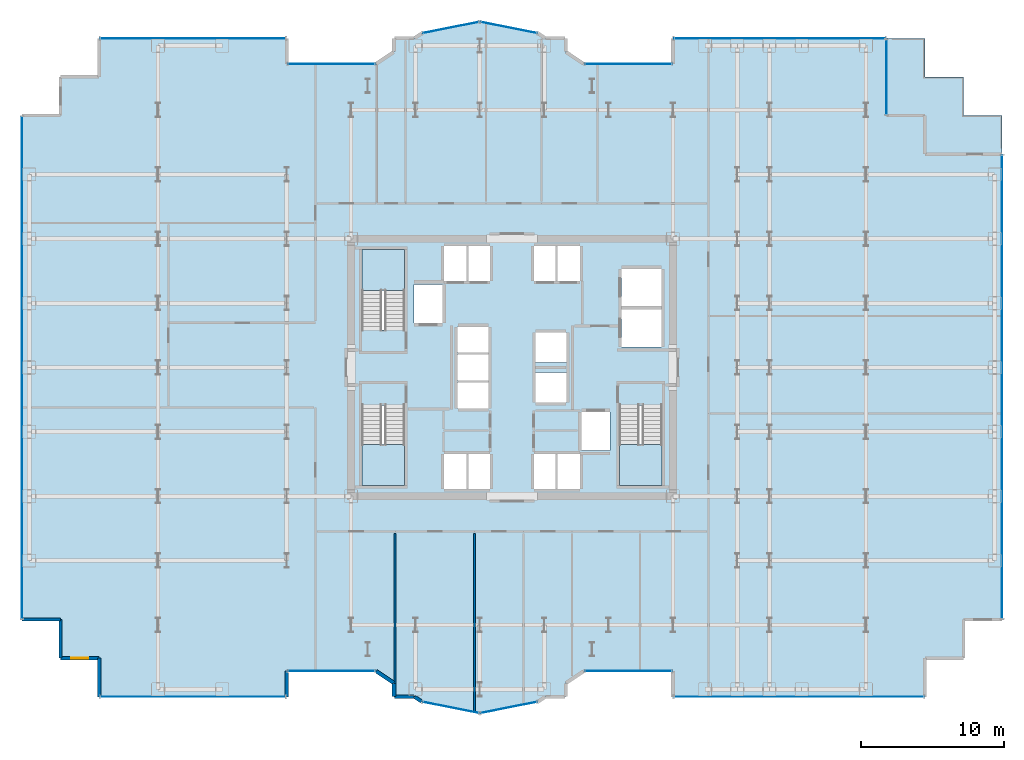
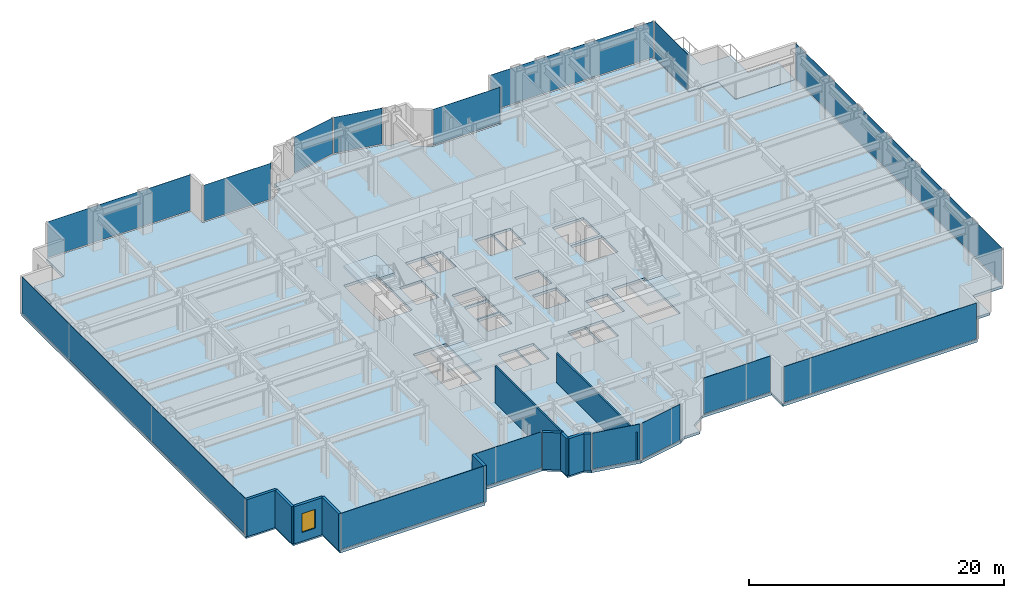
# One storey, part 19 of 26: 15 plates, 11 walls, 5 slabs, 1 window, 1 opening, 18 elements without a shape of their own.
"""IFC4 building model written with IfcOpenShell, lengths in metres."""

from ifc_helpers import new_model, si_unit, direction, frame, frame_2d, origin, origin_2d, place, context, subcontext, project, spatial, polyline, rectangle, outline, extrude, source, transform, mapped, material, layer, layer_set, type_object, element, fill, aggregate, save


model = new_model("IFC4")

# Units and contexts
model_context = context("Model", 3, precision=1e-05, world=origin(), true_north=direction((0.0, 1.0)))
body_context = subcontext(model_context, "Body", "Model", "MODEL_VIEW")
ifc_project = project(units=[si_unit("LENGTHUNIT", "METRE"), si_unit("AREAUNIT", "SQUARE_METRE"), si_unit("VOLUMEUNIT", "CUBIC_METRE"), si_unit("PLANEANGLEUNIT", "RADIAN"), si_unit("MASSUNIT", "GRAM", prefix="KILO")], contexts=[model_context])

# Site, building, storey
site_placement = place(None, origin())
site = spatial("IfcSite", under=ifc_project, at=site_placement, CompositionType="ELEMENT")
building_placement = place(site_placement, origin())
building = spatial("IfcBuilding", under=site, at=building_placement, Name="Nefas-Gora Pilgrimage Tower", CompositionType="ELEMENT")
storey_placement = place(building_placement, frame((0.0, 0.0, 106.0)))
storey = spatial("IfcBuildingStorey", under=building, at=storey_placement, Name="L25", CompositionType="ELEMENT", Elevation=106.0)

# Slabs
ifc_material_1 = material(Name="Concrete C40/50", Category="concrete")
ifc_layer_1 = layer(ifc_material_1, 0.239990234375)
ifc_layer_set_1 = layer_set([ifc_layer_1], Name="Concrete C40/50")
slab_type_1 = type_object("IfcSlabType", Name="SLB-TER-SP-NE", PredefinedType="FLOOR", material=ifc_layer_set_1)
slab_1_placement = place(storey_placement, frame((0.0, 0.0, -0.239990234375)))
element("IfcSlab", 1, at=slab_1_placement, inside=storey, type_object=slab_type_1, Name="L25 Outdoor Sky Terrace Slab TER-SP-NE", PredefinedType="FLOOR", context=body_context, shape_type="SweptSolid", body=[
    extrude(outline(polyline([(26.169921875, 23.02001953125), (26.169921875, 17.6201171875), (28.8701171875, 17.6201171875), (28.8701171875, 14.919921875), (34.27001953125, 14.919921875), (34.27001953125, 17.6201171875), (31.570068359375, 17.6201171875), (31.570068359375, 20.320068359375), (28.8701171875, 20.320068359375), (28.8701171875, 23.02001953125), (26.169921875, 23.02001953125)])), origin(), (0.0, 0.0, 1.0), 0.239990234375),
])
ifc_layer_2 = layer(ifc_material_1, 0.25)
ifc_layer_set_2 = layer_set([ifc_layer_2], Name="Concrete C40/50")
slab_type_2 = type_object("IfcSlabType", Name="SLB-TWR-250", PredefinedType="FLOOR", material=ifc_layer_set_2)
slab_2_placement = place(storey_placement, frame((0.0, 0.0, -0.25)))
element("IfcSlab", 2, at=slab_2_placement, inside=storey, type_object=slab_type_2, Name="L25 Structural Floor Slab", PredefinedType="FLOOR", context=body_context, shape_type="SweptSolid", body=[
    extrude(outline(polyline([(5.01806640625, -21.219970703125), (11.25, -21.219970703125), (11.25, -23.02001953125), (28.8701171875, -23.02001953125), (28.8701171875, -20.320068359375), (31.570068359375, -20.320068359375), (31.570068359375, -17.6201171875), (34.27001953125, -17.6201171875), (34.27001953125, 14.919921875), (28.8701171875, 14.919921875), (28.8701171875, 17.6201171875), (26.169921875, 17.6201171875), (26.169921875, 23.02001953125), (11.25, 23.02001953125), (11.25, 21.219970703125), (5.01806640625, 21.219970703125), (3.75, 22.0673828125), (3.75, 23.02001953125), (2.32421875, 23.02001953125), (1.807373046875, 23.365234375), (-2.25, 24.17236328125), (-6.307373046875, 23.365234375), (-6.82421875, 23.02001953125), (-8.25, 23.02001953125), (-8.25, 22.0673828125), (-9.51806640625, 21.219970703125), (-15.75, 21.219970703125), (-15.75, 23.02001953125), (-28.8701171875, 23.02001953125), (-28.8701171875, 20.320068359375), (-31.570068359375, 20.320068359375), (-31.570068359375, 17.6201171875), (-34.27001953125, 17.6201171875), (-34.27001953125, -17.6201171875), (-31.570068359375, -17.6201171875), (-31.570068359375, -20.320068359375), (-28.8701171875, -20.320068359375), (-28.8701171875, -23.02001953125), (-15.75, -23.02001953125), (-15.75, -21.219970703125), (-9.51806640625, -21.219970703125), (-8.25, -22.0673828125), (-8.25, -23.02001953125), (-6.82421875, -23.02001953125), (-6.307373046875, -23.365234375), (-2.25, -24.17236328125), (1.807373046875, -23.365234375), (2.32421875, -23.02001953125), (3.75, -23.02001953125), (3.75, -22.0673828125), (5.01806640625, -21.219970703125)]), holes=[polyline([(-10.5, 2.639892578125), (-10.5, 8.25), (-7.5, 8.25), (-7.5, 2.639892578125), (-10.5, 2.639892578125)]), polyline([(10.5, -2.639892578125), (10.5, -8.25), (7.5, -8.25), (7.5, -2.639892578125), (10.5, -2.639892578125)]), polyline([(-7.5, -2.639892578125), (-7.5, -8.25), (-10.5, -8.25), (-10.5, -2.639892578125), (-7.5, -2.639892578125)]), polyline([(-6.85009765625, 5.800048828125), (-4.85009765625, 5.800048828125), (-4.85009765625, 3.10009765625), (-6.85009765625, 3.10009765625), (-6.85009765625, 5.800048828125)]), polyline([(4.85009765625, -3.10009765625), (6.85009765625, -3.10009765625), (6.85009765625, -5.800048828125), (4.85009765625, -5.800048828125), (4.85009765625, -3.10009765625)]), polyline([(7.64990234375, 4.050048828125), (10.449951171875, 4.050048828125), (10.449951171875, 1.449951171875), (7.64990234375, 1.449951171875), (7.64990234375, 4.050048828125)]), polyline([(7.64990234375, 6.89990234375), (10.449951171875, 6.89990234375), (10.449951171875, 4.300048828125), (7.64990234375, 4.300048828125), (7.64990234375, 6.89990234375)]), polyline([(-4.75, 8.5), (-3.14990234375, 8.5), (-3.14990234375, 6.050048828125), (-4.75, 6.050048828125), (-4.75, 8.5)]), polyline([(-3.10009765625, 8.5), (-1.550048828125, 8.5), (-1.550048828125, 6.050048828125), (-3.10009765625, 6.050048828125), (-3.10009765625, 8.5)]), polyline([(1.550048828125, 8.5), (3.10009765625, 8.5), (3.10009765625, 6.050048828125), (1.550048828125, 6.050048828125), (1.550048828125, 8.5)]), polyline([(3.14990234375, 8.5), (4.75, 8.5), (4.75, 6.050048828125), (3.14990234375, 6.050048828125), (3.14990234375, 8.5)]), polyline([(-4.75, -6.050048828125), (-3.14990234375, -6.050048828125), (-3.14990234375, -8.5), (-4.75, -8.5), (-4.75, -6.050048828125)]), polyline([(-3.10009765625, -6.050048828125), (-1.550048828125, -6.050048828125), (-1.550048828125, -8.5), (-3.10009765625, -8.5), (-3.10009765625, -6.050048828125)]), polyline([(1.550048828125, -6.050048828125), (3.10009765625, -6.050048828125), (3.10009765625, -8.5), (1.550048828125, -8.5), (1.550048828125, -6.050048828125)]), polyline([(3.14990234375, -6.050048828125), (4.75, -6.050048828125), (4.75, -8.5), (3.14990234375, -8.5), (3.14990234375, -6.050048828125)]), polyline([(-3.800048828125, -1.050048828125), (-1.64990234375, -1.050048828125), (-1.64990234375, -2.85009765625), (-3.800048828125, -2.85009765625), (-3.800048828125, -1.050048828125)]), polyline([(-3.800048828125, 0.89990234375), (-1.64990234375, 0.89990234375), (-1.64990234375, -0.89990234375), (-3.800048828125, -0.89990234375), (-3.800048828125, 0.89990234375)]), polyline([(-3.800048828125, 2.85009765625), (-1.64990234375, 2.85009765625), (-1.64990234375, 1.050048828125), (-3.800048828125, 1.050048828125), (-3.800048828125, 2.85009765625)]), polyline([(1.64990234375, -0.35009765625), (3.800048828125, -0.35009765625), (3.800048828125, -2.449951171875), (1.64990234375, -2.449951171875), (1.64990234375, -0.35009765625)]), polyline([(1.64990234375, 2.449951171875), (3.800048828125, 2.449951171875), (3.800048828125, 0.35009765625), (1.64990234375, 0.35009765625), (1.64990234375, 2.449951171875)])]), origin(), (0.0, 0.0, 1.0), 0.25),
])

# Stair, slab
ifc_material_2 = material(Name="Concrete C45/55", Category="concrete")
stair_type = type_object("IfcStairType", Name="STR-1400-R1727", PredefinedType="HALF_TURN_STAIR", material=ifc_material_2)
stair_1_placement = place(storey_placement, origin())
stair_1 = element("IfcStair", 3, at=stair_1_placement, inside=storey, type_object=stair_type, Name="L25 Pressurised Tower Exit Stair ST-01", PredefinedType="HALF_TURN_STAIR")
ifc_layer_3 = layer(ifc_material_1, 0.199951171875)
ifc_layer_set_3 = layer_set([ifc_layer_3], Name="Concrete C40/50")
slab_type_3 = type_object("IfcSlabType", Name="STR-LAND-200", PredefinedType="LANDING", material=ifc_layer_set_3)
slab_3_placement = place(storey_placement, frame((0.0, 0.0, 1.699951171875)))
slab_3 = element("IfcSlab", 4, at=slab_3_placement, type_object=slab_type_3, Name="ST-01 landing 1", PredefinedType="LANDING", context=body_context, shape_type="SweptSolid", body=[
    extrude(outline(polyline([(-7.5, 5.39990234375), (-7.5, 8.25), (-10.5, 8.25), (-10.5, 5.39990234375), (-7.5, 5.39990234375)])), origin(), (0.0, 0.0, 1.0), 0.199951171875),
])
aggregate(stair_1, [slab_3])

stair_2_placement = place(storey_placement, origin())
stair_2 = element("IfcStair", 5, at=stair_2_placement, inside=storey, type_object=stair_type, Name="L25 Pressurised Tower Exit Stair ST-02", PredefinedType="HALF_TURN_STAIR")
slab_4_placement = place(storey_placement, frame((0.0, 0.0, 1.699951171875)))
slab_4 = element("IfcSlab", 6, at=slab_4_placement, type_object=slab_type_3, Name="ST-02 landing 1", PredefinedType="LANDING", context=body_context, shape_type="SweptSolid", body=[
    extrude(outline(polyline([(7.5, -5.39990234375), (7.5, -8.25), (10.5, -8.25), (10.5, -5.39990234375), (7.5, -5.39990234375)])), origin(), (0.0, 0.0, 1.0), 0.199951171875),
])
aggregate(stair_2, [slab_4])

stair_3_placement = place(storey_placement, origin())
stair_3 = element("IfcStair", 7, at=stair_3_placement, inside=storey, type_object=stair_type, Name="L25 Pressurised Tower Exit Stair ST-03", PredefinedType="HALF_TURN_STAIR")
slab_5_placement = place(storey_placement, frame((0.0, 0.0, 1.699951171875)))
slab_5 = element("IfcSlab", 8, at=slab_5_placement, type_object=slab_type_3, Name="ST-03 landing 1", PredefinedType="LANDING", context=body_context, shape_type="SweptSolid", body=[
    extrude(outline(polyline([(-10.5, -5.39990234375), (-10.5, -8.25), (-7.5, -8.25), (-7.5, -5.39990234375), (-10.5, -5.39990234375)])), origin(), (0.0, 0.0, 1.0), 0.199951171875),
])
aggregate(stair_3, [slab_5])

# Curtain wall, plate
ifc_material_3 = material(Name="Dark ceramic-fritted solar-control aluminium-glass curtain wall", Category="aluminium")
ifc_layer_4 = layer(ifc_material_3, 0.219970703125)
ifc_layer_set_4 = layer_set([ifc_layer_4], Name="Dark ceramic-fritted solar-control aluminium-glass curtain wall")
curtain_wall_type_1 = type_object("IfcCurtainWallType", Name="CW-SYS-5", PredefinedType="NOTDEFINED", material=ifc_layer_set_4)
curtain_wall_1_placement = place(storey_placement, origin())
curtain_wall_1 = element("IfcCurtainWall", 9, at=curtain_wall_1_placement, inside=storey, type_object=curtain_wall_type_1, Name="L25 Unitised Curtain Wall CW5", PredefinedType="NOTDEFINED")
ifc_material_4 = material(Name="Dark ceramic-printed low-e insulated glass", Category="glass")
ifc_layer_5 = layer(ifc_material_4, 0.028076171875)
ifc_layer_set_5 = layer_set([ifc_layer_5], Name="Dark ceramic-printed low-e insulated glass")
plate_type_1 = type_object("IfcPlateType", Name="CWP-PNL-5", PredefinedType="CURTAIN_PANEL", material=ifc_layer_set_5)
shared_shape_1 = source(origin(), body_context, "Body", "SweptSolid", [
    extrude(rectangle(XDim=6.052001953125, YDim=0.028076171875, at=origin_2d()), origin(), (0.0, 0.0, 1.0), 3.43994140625),
])
plate_1_placement = place(storey_placement, frame((8.134033203125, -21.219970703125, 0.10009765625), z_axis=(0.0, 0.0, 1.0), x_axis=(1.0, 0.0, 0.0)))
plate_1 = element("IfcPlate", 10, at=plate_1_placement, type_object=plate_type_1, Name="CW5 Ceramic-Fritted Glazing Panel 1", PredefinedType="CURTAIN_PANEL", context=body_context, shape_type="MappedRepresentation", body=[
    mapped(shared_shape_1, transform((0.0, 0.0, 0.0), x_axis=(1.0, 0.0, 0.0), y_axis=(0.0, 1.0, 0.0), z_axis=(0.0, 0.0, 1.0), scale=1.0)),
])
aggregate(curtain_wall_1, [plate_1])

curtain_wall_2_placement = place(storey_placement, origin())
curtain_wall_2 = element("IfcCurtainWall", 11, at=curtain_wall_2_placement, inside=storey, type_object=curtain_wall_type_1, Name="L25 Unitised Curtain Wall CW5", PredefinedType="NOTDEFINED")
plate_2_placement = place(storey_placement, frame((8.134033203125, 21.219970703125, 0.10009765625), z_axis=(0.0, 0.0, 1.0), x_axis=(-1.0, 0.0, 0.0)))
plate_2 = element("IfcPlate", 12, at=plate_2_placement, type_object=plate_type_1, Name="CW5 Ceramic-Fritted Glazing Panel 1", PredefinedType="CURTAIN_PANEL", context=body_context, shape_type="MappedRepresentation", body=[
    mapped(shared_shape_1, transform((0.0, 0.0, 0.0), x_axis=(1.0, 0.0, 0.0), y_axis=(0.0, 1.0, 0.0), z_axis=(0.0, 0.0, 1.0), scale=1.0)),
])
aggregate(curtain_wall_2, [plate_2])

curtain_wall_3_placement = place(storey_placement, origin())
curtain_wall_3 = element("IfcCurtainWall", 13, at=curtain_wall_3_placement, inside=storey, type_object=curtain_wall_type_1, Name="L25 Unitised Curtain Wall CW5", PredefinedType="NOTDEFINED")
plate_3_placement = place(storey_placement, frame((-12.634033203125, 21.219970703125, 0.10009765625), z_axis=(0.0, 0.0, 1.0), x_axis=(-1.0, 0.0, 0.0)))
plate_3 = element("IfcPlate", 14, at=plate_3_placement, type_object=plate_type_1, Name="CW5 Ceramic-Fritted Glazing Panel 1", PredefinedType="CURTAIN_PANEL", context=body_context, shape_type="MappedRepresentation", body=[
    mapped(shared_shape_1, transform((0.0, 0.0, 0.0), x_axis=(1.0, 0.0, 0.0), y_axis=(0.0, 1.0, 0.0), z_axis=(0.0, 0.0, 1.0), scale=1.0)),
])
aggregate(curtain_wall_3, [plate_3])

curtain_wall_4_placement = place(storey_placement, origin())
curtain_wall_4 = element("IfcCurtainWall", 15, at=curtain_wall_4_placement, inside=storey, type_object=curtain_wall_type_1, Name="L25 Unitised Curtain Wall CW5", PredefinedType="NOTDEFINED")
plate_4_placement = place(storey_placement, frame((-12.634033203125, -21.219970703125, 0.10009765625), z_axis=(0.0, 0.0, 1.0), x_axis=(1.0, 0.0, 0.0)))
plate_4 = element("IfcPlate", 16, at=plate_4_placement, type_object=plate_type_1, Name="CW5 Ceramic-Fritted Glazing Panel 1", PredefinedType="CURTAIN_PANEL", context=body_context, shape_type="MappedRepresentation", body=[
    mapped(shared_shape_1, transform((0.0, 0.0, 0.0), x_axis=(1.0, 0.0, 0.0), y_axis=(0.0, 1.0, 0.0), z_axis=(0.0, 0.0, 1.0), scale=1.0)),
])
aggregate(curtain_wall_4, [plate_4])

ifc_layer_6 = layer(ifc_material_3, 0.219970703125)
ifc_layer_set_6 = layer_set([ifc_layer_6], Name="Dark ceramic-fritted solar-control aluminium-glass curtain wall")
curtain_wall_type_2 = type_object("IfcCurtainWallType", Name="CW-SYS-2", PredefinedType="NOTDEFINED", material=ifc_layer_set_6)
curtain_wall_5_placement = place(storey_placement, origin())
curtain_wall_5 = element("IfcCurtainWall", 17, at=curtain_wall_5_placement, inside=storey, type_object=curtain_wall_type_2, Name="L25 Unitised Curtain Wall CW2", PredefinedType="NOTDEFINED")
ifc_layer_7 = layer(ifc_material_4, 0.031982421875)
ifc_layer_set_7 = layer_set([ifc_layer_7], Name="Dark ceramic-printed low-e insulated glass")
plate_type_2 = type_object("IfcPlateType", Name="CWP-PNL-2", PredefinedType="CURTAIN_PANEL", material=ifc_layer_set_7)
shared_shape_2 = source(origin(), body_context, "Body", "SweptSolid", [
    extrude(rectangle(XDim=17.43994140625, YDim=0.031982421875, at=origin_2d()), origin(), (0.0, 0.0, 1.0), 3.43994140625),
])
plate_5_placement = place(storey_placement, frame((20.06005859375, -23.02001953125, 0.10009765625), z_axis=(0.0, 0.0, 1.0), x_axis=(1.0, 0.0, 0.0)))
plate_5 = element("IfcPlate", 18, at=plate_5_placement, type_object=plate_type_2, Name="CW2 Ceramic-Fritted Glazing Panel 1", PredefinedType="CURTAIN_PANEL", context=body_context, shape_type="MappedRepresentation", body=[
    mapped(shared_shape_2, transform((0.0, 0.0, 0.0), x_axis=(1.0, 0.0, 0.0), y_axis=(0.0, 1.0, 0.0), z_axis=(0.0, 0.0, 1.0), scale=1.0)),
])
aggregate(curtain_wall_5, [plate_5])

curtain_wall_6_placement = place(storey_placement, origin())
curtain_wall_6 = element("IfcCurtainWall", 19, at=curtain_wall_6_placement, inside=storey, type_object=curtain_wall_type_1, Name="L25 Unitised Curtain Wall CW5", PredefinedType="NOTDEFINED")
shared_shape_3 = source(origin(), body_context, "Body", "SweptSolid", [
    extrude(rectangle(XDim=3.956787109375, YDim=0.028076171875, at=origin_2d()), origin(), (0.0, 0.0, 1.0), 3.43994140625),
])
plate_6_placement = place(storey_placement, frame((-0.22119140625, 23.768798828125, 0.10009765625), z_axis=(0.0, 0.0, 1.0), x_axis=(-0.980782896852, 0.195102304554, 0.0)))
plate_6 = element("IfcPlate", 20, at=plate_6_placement, type_object=plate_type_1, Name="CW5 Ceramic-Fritted Glazing Panel 1", PredefinedType="CURTAIN_PANEL", context=body_context, shape_type="MappedRepresentation", body=[
    mapped(shared_shape_3, transform((0.0, 0.0, 0.0), x_axis=(1.0, 0.0, 0.0), y_axis=(0.0, 1.0, 0.0), z_axis=(0.0, 0.0, 1.0), scale=1.0)),
])
aggregate(curtain_wall_6, [plate_6])

curtain_wall_7_placement = place(storey_placement, origin())
curtain_wall_7 = element("IfcCurtainWall", 21, at=curtain_wall_7_placement, inside=storey, type_object=curtain_wall_type_1, Name="L25 Unitised Curtain Wall CW5", PredefinedType="NOTDEFINED")
plate_7_placement = place(storey_placement, frame((-4.278564453125, 23.768798828125, 0.10009765625), z_axis=(0.0, 0.0, 1.0), x_axis=(-0.980782896852, -0.195102304554, 0.0)))
plate_7 = element("IfcPlate", 22, at=plate_7_placement, type_object=plate_type_1, Name="CW5 Ceramic-Fritted Glazing Panel 1", PredefinedType="CURTAIN_PANEL", context=body_context, shape_type="MappedRepresentation", body=[
    mapped(shared_shape_3, transform((0.0, 0.0, 0.0), x_axis=(1.0, 0.0, 0.0), y_axis=(0.0, 1.0, 0.0), z_axis=(0.0, 0.0, 1.0), scale=1.0)),
])
aggregate(curtain_wall_7, [plate_7])

curtain_wall_8_placement = place(storey_placement, origin())
curtain_wall_8 = element("IfcCurtainWall", 23, at=curtain_wall_8_placement, inside=storey, type_object=curtain_wall_type_1, Name="L25 Unitised Curtain Wall CW5", PredefinedType="NOTDEFINED")
plate_8_placement = place(storey_placement, frame((-4.278564453125, -23.768798828125, 0.10009765625), z_axis=(0.0, 0.0, 1.0), x_axis=(0.980782896852, -0.195102304554, 0.0)))
plate_8 = element("IfcPlate", 24, at=plate_8_placement, type_object=plate_type_1, Name="CW5 Ceramic-Fritted Glazing Panel 1", PredefinedType="CURTAIN_PANEL", context=body_context, shape_type="MappedRepresentation", body=[
    mapped(shared_shape_3, transform((0.0, 0.0, 0.0), x_axis=(1.0, 0.0, 0.0), y_axis=(0.0, 1.0, 0.0), z_axis=(0.0, 0.0, 1.0), scale=1.0)),
])
aggregate(curtain_wall_8, [plate_8])

curtain_wall_9_placement = place(storey_placement, origin())
curtain_wall_9 = element("IfcCurtainWall", 25, at=curtain_wall_9_placement, inside=storey, type_object=curtain_wall_type_1, Name="L25 Unitised Curtain Wall CW5", PredefinedType="NOTDEFINED")
plate_9_placement = place(storey_placement, frame((-0.221435546875, -23.768798828125, 0.10009765625), z_axis=(0.0, 0.0, 1.0), x_axis=(0.980782896852, 0.195102304554, 0.0)))
plate_9 = element("IfcPlate", 26, at=plate_9_placement, type_object=plate_type_1, Name="CW5 Ceramic-Fritted Glazing Panel 1", PredefinedType="CURTAIN_PANEL", context=body_context, shape_type="MappedRepresentation", body=[
    mapped(shared_shape_3, transform((0.0, 0.0, 0.0), x_axis=(1.0, 0.0, 0.0), y_axis=(0.0, 1.0, 0.0), z_axis=(0.0, 0.0, 1.0), scale=1.0)),
])
aggregate(curtain_wall_9, [plate_9])

curtain_wall_10_placement = place(storey_placement, origin())
curtain_wall_10 = element("IfcCurtainWall", 27, at=curtain_wall_10_placement, inside=storey, type_object=curtain_wall_type_2, Name="L25 Unitised Curtain Wall CW2", PredefinedType="NOTDEFINED")
shared_shape_4 = source(origin(), body_context, "Body", "SweptSolid", [
    extrude(rectangle(XDim=12.93994140625, YDim=0.031982421875, at=origin_2d()), origin(), (0.0, 0.0, 1.0), 3.43994140625),
])
plate_10_placement = place(storey_placement, frame((-22.31005859375, 23.02001953125, 0.10009765625), z_axis=(0.0, 0.0, 1.0), x_axis=(-1.0, 0.0, 0.0)))
plate_10 = element("IfcPlate", 28, at=plate_10_placement, type_object=plate_type_2, Name="CW2 Ceramic-Fritted Glazing Panel 1", PredefinedType="CURTAIN_PANEL", context=body_context, shape_type="MappedRepresentation", body=[
    mapped(shared_shape_4, transform((0.0, 0.0, 0.0), x_axis=(1.0, 0.0, 0.0), y_axis=(0.0, 1.0, 0.0), z_axis=(0.0, 0.0, 1.0), scale=1.0)),
])
aggregate(curtain_wall_10, [plate_10])

curtain_wall_11_placement = place(storey_placement, origin())
curtain_wall_11 = element("IfcCurtainWall", 29, at=curtain_wall_11_placement, inside=storey, type_object=curtain_wall_type_2, Name="L25 Unitised Curtain Wall CW2", PredefinedType="NOTDEFINED")
plate_11_placement = place(storey_placement, frame((-22.31005859375, -23.02001953125, 0.10009765625), z_axis=(0.0, 0.0, 1.0), x_axis=(1.0, 0.0, 0.0)))
plate_11 = element("IfcPlate", 30, at=plate_11_placement, type_object=plate_type_2, Name="CW2 Ceramic-Fritted Glazing Panel 1", PredefinedType="CURTAIN_PANEL", context=body_context, shape_type="MappedRepresentation", body=[
    mapped(shared_shape_4, transform((0.0, 0.0, 0.0), x_axis=(1.0, 0.0, 0.0), y_axis=(0.0, 1.0, 0.0), z_axis=(0.0, 0.0, 1.0), scale=1.0)),
])
aggregate(curtain_wall_11, [plate_11])

curtain_wall_12_placement = place(storey_placement, origin())
curtain_wall_12 = element("IfcCurtainWall", 31, at=curtain_wall_12_placement, inside=storey, type_object=curtain_wall_type_2, Name="L25 Unitised Curtain Wall CW2", PredefinedType="NOTDEFINED")
shared_shape_5 = source(origin(), body_context, "Body", "SweptSolid", [
    extrude(rectangle(XDim=35.06005859375, YDim=0.031982421875, at=origin_2d()), origin(), (0.0, 0.0, 1.0), 3.43994140625),
])
plate_12_placement = place(storey_placement, frame((-34.27001953125, 0.0, 0.10009765625), z_axis=(0.0, 0.0, 1.0), x_axis=(0.0, -1.0, 0.0)))
plate_12 = element("IfcPlate", 32, at=plate_12_placement, type_object=plate_type_2, Name="CW2 Ceramic-Fritted Glazing Panel 1", PredefinedType="CURTAIN_PANEL", context=body_context, shape_type="MappedRepresentation", body=[
    mapped(shared_shape_5, transform((0.0, 0.0, 0.0), x_axis=(1.0, 0.0, 0.0), y_axis=(0.0, 1.0, 0.0), z_axis=(0.0, 0.0, 1.0), scale=1.0)),
])
aggregate(curtain_wall_12, [plate_12])

curtain_wall_13_placement = place(storey_placement, origin())
curtain_wall_13 = element("IfcCurtainWall", 33, at=curtain_wall_13_placement, inside=storey, type_object=curtain_wall_type_2, Name="L25 Unitised Curtain Wall CW2", PredefinedType="NOTDEFINED")
shared_shape_6 = source(origin(), body_context, "Body", "SweptSolid", [
    extrude(rectangle(XDim=32.360107421875, YDim=0.031982421875, at=origin_2d()), origin(), (0.0, 0.0, 1.0), 3.43994140625),
])
plate_13_placement = place(storey_placement, frame((34.27001953125, -1.35009765625, 0.10009765625), z_axis=(0.0, 0.0, 1.0), x_axis=(0.0, 1.0, 0.0)))
plate_13 = element("IfcPlate", 34, at=plate_13_placement, type_object=plate_type_2, Name="CW2 Ceramic-Fritted Glazing Panel 1", PredefinedType="CURTAIN_PANEL", context=body_context, shape_type="MappedRepresentation", body=[
    mapped(shared_shape_6, transform((0.0, 0.0, 0.0), x_axis=(1.0, 0.0, 0.0), y_axis=(0.0, 1.0, 0.0), z_axis=(0.0, 0.0, 1.0), scale=1.0)),
])
aggregate(curtain_wall_13, [plate_13])

curtain_wall_14_placement = place(storey_placement, origin())
curtain_wall_14 = element("IfcCurtainWall", 35, at=curtain_wall_14_placement, inside=storey, type_object=curtain_wall_type_2, Name="L25 Unitised Curtain Wall CW2", PredefinedType="NOTDEFINED")
shared_shape_7 = source(origin(), body_context, "Body", "SweptSolid", [
    extrude(rectangle(XDim=5.219970703125, YDim=0.031982421875, at=origin_2d()), origin(), (0.0, 0.0, 1.0), 3.43994140625),
])
plate_14_placement = place(storey_placement, frame((26.169921875, 20.320068359375, 0.10009765625), z_axis=(0.0, 0.0, 1.0), x_axis=(0.0, 1.0, 0.0)))
plate_14 = element("IfcPlate", 36, at=plate_14_placement, type_object=plate_type_2, Name="CW2 Ceramic-Fritted Glazing Panel 1", PredefinedType="CURTAIN_PANEL", context=body_context, shape_type="MappedRepresentation", body=[
    mapped(shared_shape_7, transform((0.0, 0.0, 0.0), x_axis=(1.0, 0.0, 0.0), y_axis=(0.0, 1.0, 0.0), z_axis=(0.0, 0.0, 1.0), scale=1.0)),
])
aggregate(curtain_wall_14, [plate_14])

curtain_wall_15_placement = place(storey_placement, origin())
curtain_wall_15 = element("IfcCurtainWall", 37, at=curtain_wall_15_placement, inside=storey, type_object=curtain_wall_type_2, Name="L25 Unitised Curtain Wall CW2", PredefinedType="NOTDEFINED")
shared_shape_8 = source(origin(), body_context, "Body", "SweptSolid", [
    extrude(rectangle(XDim=14.739990234375, YDim=0.031982421875, at=origin_2d()), origin(), (0.0, 0.0, 1.0), 3.43994140625),
])
plate_15_placement = place(storey_placement, frame((18.7099609375, 23.02001953125, 0.10009765625), z_axis=(0.0, 0.0, 1.0), x_axis=(-1.0, 0.0, 0.0)))
plate_15 = element("IfcPlate", 38, at=plate_15_placement, type_object=plate_type_2, Name="CW2 Ceramic-Fritted Glazing Panel 1", PredefinedType="CURTAIN_PANEL", context=body_context, shape_type="MappedRepresentation", body=[
    mapped(shared_shape_8, transform((0.0, 0.0, 0.0), x_axis=(1.0, 0.0, 0.0), y_axis=(0.0, 1.0, 0.0), z_axis=(0.0, 0.0, 1.0), scale=1.0)),
])
aggregate(curtain_wall_15, [plate_15])

# Walls
ifc_material_5 = material(Name="Precast concrete C40/50", Category="concrete")
ifc_layer_8 = layer(ifc_material_5, 0.260009765625)
ifc_layer_set_8 = layer_set([ifc_layer_8], Name="Precast concrete C40/50")
wall_type_1 = type_object("IfcWallType", Name="EW-PORTAL-260", PredefinedType="SOLIDWALL", material=ifc_layer_set_8)
shared_shape_9 = source(origin(), body_context, "Body", "SweptSolid", [
    extrude(rectangle(XDim=1.800048828125, YDim=0.260009765625, at=frame_2d((0.89990234375, 0.0))), origin(), (0.0, 0.0, 1.0), 3.550048828125),
])
wall_1_placement = place(storey_placement, frame((-15.75, -23.02001953125, 0.0), z_axis=(0.0, 0.0, 1.0), x_axis=(0.0, 1.0, 0.0)))
element("IfcWall", 39, at=wall_1_placement, inside=storey, type_object=wall_type_1, Name="L25 Lobe Shoulder Precast Spandrel Pier 27", PredefinedType="SOLIDWALL", context=body_context, shape_type="MappedRepresentation", body=[
    mapped(shared_shape_9, transform((0.0, 0.0, 0.0), x_axis=(1.0, 0.0, 0.0), y_axis=(0.0, 1.0, 0.0), z_axis=(0.0, 0.0, 1.0), scale=1.0)),
])
ifc_material_6 = material(Name="Precast concrete C45/55", Category="concrete")
ifc_layer_9 = layer(ifc_material_6, 0.239990234375)
ifc_layer_set_9 = layer_set([ifc_layer_9], Name="Precast concrete C45/55")
wall_type_2 = type_object("IfcWallType", Name="EW-SERR-240", PredefinedType="SHEAR", material=ifc_layer_set_9)
shared_shape_10 = source(origin(), body_context, "Body", "SweptSolid", [
    extrude(rectangle(XDim=2.699951171875, YDim=0.239990234375, at=frame_2d((1.35009765625, 0.0))), origin(), (0.0, 0.0, 1.0), 3.550048828125),
])
for number, where, z_axis, x_axis, name in (
    (40, (-34.27001953125, -17.6201171875, 0.0), (0.0, 0.0, 1.0), (1.0, 0.0, 0.0), "L25 Serrated Corner Shear Pier Wall 23"),
    (41, (-31.570068359375, -17.6201171875, 0.0), (0.0, 0.0, 1.0), (0.0, -1.0, 0.0), "L25 Serrated Corner Shear Pier Wall 24"),
):
    element("IfcWall", number, at=place(storey_placement, frame(where, z_axis=z_axis, x_axis=x_axis)), inside=storey, type_object=wall_type_2, Name=name, PredefinedType="SHEAR", context=body_context, shape_type="MappedRepresentation", body=[
        mapped(shared_shape_10, transform((0.0, 0.0, 0.0), x_axis=(1.0, 0.0, 0.0), y_axis=(0.0, 1.0, 0.0), z_axis=(0.0, 0.0, 1.0), scale=1.0)),
    ])

# Wall, opening, window
wall_2_placement = place(storey_placement, frame((-31.570068359375, -20.320068359375, 0.0), z_axis=(0.0, 0.0, 1.0), x_axis=(1.0, 0.0, 0.0)))
wall_2 = element("IfcWall", 42, at=wall_2_placement, inside=storey, type_object=wall_type_2, Name="L25 Serrated Corner Shear Pier Wall 25", PredefinedType="SHEAR", context=body_context, shape_type="MappedRepresentation", body=[
    mapped(shared_shape_10, transform((0.0, 0.0, 0.0), x_axis=(1.0, 0.0, 0.0), y_axis=(0.0, 1.0, 0.0), z_axis=(0.0, 0.0, 1.0), scale=1.0)),
])
opening_placement = place(wall_2_placement, frame((0.75, 0.0, 0.85009765625)))
opening = element("IfcOpeningElement", 43, at=opening_placement, cuts=wall_2, Name="Opening W-V1", PredefinedType="OPENING", context=body_context, shape_type="SweptSolid", body=[
    extrude(rectangle(XDim=1.199951171875, YDim=1.800048828125, at=frame_2d((0.60009765625, 0.89990234375))), frame((0.0, 0.1298828125, 0.0), z_axis=(0.0, -1.0, 0.0), x_axis=(1.0, 0.0, 0.0)), (0.0, 0.0, 1.0), 0.260009765625),
])
ifc_material_7 = material(Name="Dark ceramic-fritted operable aluminium-glass window", Category="aluminium")
window_type = type_object("IfcWindowType", Name="WIN-VENT-1200x1800", PartitioningType="SINGLE_PANEL", PredefinedType="WINDOW", material=ifc_material_7)
shared_shape_11 = source(origin(), body_context, "Body", "SweptSolid", [
    extrude(rectangle(XDim=1.199951171875, YDim=1.800048828125, at=frame_2d((0.60009765625, 0.89990234375))), frame((0.0, 0.030029296875, 0.0), z_axis=(0.0, -1.0, 0.0), x_axis=(1.0, 0.0, 0.0)), (0.0, 0.0, 1.0), 0.06005859375),
])
window_placement = place(opening_placement, origin())
window = element("IfcWindow", 44, at=window_placement, inside=storey, type_object=window_type, Name="L25 Operable Parallel-Outswing Window 25", OverallHeight=1.800048828125, OverallWidth=1.199951171875, PartitioningType="SINGLE_PANEL", PredefinedType="WINDOW", context=body_context, shape_type="MappedRepresentation", body=[
    mapped(shared_shape_11, transform((0.0, 0.0, 0.0), x_axis=(1.0, 0.0, 0.0), y_axis=(0.0, 1.0, 0.0), z_axis=(0.0, 0.0, 1.0), scale=1.0)),
])
fill(opening, window)

# Walls
wall_3_placement = place(storey_placement, frame((-28.8701171875, -20.320068359375, 0.0), z_axis=(0.0, 0.0, 1.0), x_axis=(0.0, -1.0, 0.0)))
element("IfcWall", 45, at=wall_3_placement, inside=storey, type_object=wall_type_2, Name="L25 Serrated Corner Shear Pier Wall 26", PredefinedType="SHEAR", context=body_context, shape_type="MappedRepresentation", body=[
    mapped(shared_shape_10, transform((0.0, 0.0, 0.0), x_axis=(1.0, 0.0, 0.0), y_axis=(0.0, 1.0, 0.0), z_axis=(0.0, 0.0, 1.0), scale=1.0)),
])
shared_shape_12 = source(origin(), body_context, "Body", "SweptSolid", [
    extrude(rectangle(XDim=1.468994140625, YDim=0.260009765625, at=frame_2d((0.734375, 0.0))), origin(), (0.0, 0.0, 1.0), 3.550048828125),
])
wall_4_placement = place(storey_placement, frame((-9.49462890625, -21.235595703125, 0.0), z_axis=(0.0, 0.0, 1.0), x_axis=(0.831461760506, -0.555581983884, 0.0)))
element("IfcWall", 46, at=wall_4_placement, inside=storey, type_object=wall_type_1, Name="L25 Lobe Shoulder Precast Spandrel Pier 28", PredefinedType="SOLIDWALL", context=body_context, shape_type="MappedRepresentation", body=[
    mapped(shared_shape_12, transform((0.0, 0.0, 0.0), x_axis=(1.0, 0.0, 0.0), y_axis=(0.0, 1.0, 0.0), z_axis=(0.0, 0.0, 1.0), scale=1.0)),
])
shared_shape_13 = source(origin(), body_context, "Body", "SweptSolid", [
    extrude(rectangle(XDim=0.896728515625, YDim=0.260009765625, at=frame_2d((0.4482421875, 0.0))), origin(), (0.0, 0.0, 1.0), 3.550048828125),
])
wall_5_placement = place(storey_placement, frame((-8.25, -22.09521484375, 0.0), z_axis=(0.0, 0.0, 1.0), x_axis=(0.0, -1.0, 0.0)))
element("IfcWall", 47, at=wall_5_placement, inside=storey, type_object=wall_type_1, Name="L25 Lobe Shoulder Precast Spandrel Pier 29", PredefinedType="SOLIDWALL", context=body_context, shape_type="MappedRepresentation", body=[
    mapped(shared_shape_13, transform((0.0, 0.0, 0.0), x_axis=(1.0, 0.0, 0.0), y_axis=(0.0, 1.0, 0.0), z_axis=(0.0, 0.0, 1.0), scale=1.0)),
])
shared_shape_14 = source(origin(), body_context, "Body", "SweptSolid", [
    extrude(rectangle(XDim=1.369873046875, YDim=0.260009765625, at=frame_2d((0.68505859375, 0.0))), origin(), (0.0, 0.0, 1.0), 3.550048828125),
])
wall_6_placement = place(storey_placement, frame((-8.221923828125, -23.02001953125, 0.0), z_axis=(0.0, 0.0, 1.0), x_axis=(1.0, 0.0, 0.0)))
element("IfcWall", 48, at=wall_6_placement, inside=storey, type_object=wall_type_1, Name="L25 Lobe Shoulder Precast Spandrel Pier 30", PredefinedType="SOLIDWALL", context=body_context, shape_type="MappedRepresentation", body=[
    mapped(shared_shape_14, transform((0.0, 0.0, 0.0), x_axis=(1.0, 0.0, 0.0), y_axis=(0.0, 1.0, 0.0), z_axis=(0.0, 0.0, 1.0), scale=1.0)),
])
shared_shape_15 = source(origin(), body_context, "Body", "SweptSolid", [
    extrude(rectangle(XDim=0.5654296875, YDim=0.260009765625, at=frame_2d((0.28271484375, 0.0))), origin(), (0.0, 0.0, 1.0), 3.550048828125),
])
wall_7_placement = place(storey_placement, frame((-6.80078125, -23.03564453125, 0.0), z_axis=(0.0, 0.0, 1.0), x_axis=(0.831651492666, -0.555297933317, 0.0)))
element("IfcWall", 49, at=wall_7_placement, inside=storey, type_object=wall_type_1, Name="L25 Lobe Shoulder Precast Spandrel Pier 31", PredefinedType="SOLIDWALL", context=body_context, shape_type="MappedRepresentation", body=[
    mapped(shared_shape_15, transform((0.0, 0.0, 0.0), x_axis=(1.0, 0.0, 0.0), y_axis=(0.0, 1.0, 0.0), z_axis=(0.0, 0.0, 1.0), scale=1.0)),
])
ifc_material_8 = material(Name="Gypsum twin-stud partition")
ifc_layer_10 = layer(ifc_material_8, 0.139892578125)
ifc_layer_set_10 = layer_set([ifc_layer_10], Name="Gypsum twin-stud partition")
wall_type_3 = type_object("IfcWallType", Name="IW-UNIT-140", PredefinedType="PARTITIONING", material=ifc_layer_set_10)
shared_shape_16 = source(origin(), body_context, "Body", "SweptSolid", [
    extrude(rectangle(XDim=10.500244140625, YDim=0.139892578125, at=frame_2d((5.25, 0.0))), origin(), (0.0, 0.0, 1.0), 3.534912109375),
])
wall_8_placement = place(storey_placement, frame((-8.169921875, -22.09033203125, 0.0), z_axis=(0.0, 0.0, 1.0), x_axis=(0.0, 1.0, 0.0)))
element("IfcWall", 50, at=wall_8_placement, inside=storey, type_object=wall_type_3, Name="L25 Pilgrim Contemplative Lounge Partition Wall 49", PredefinedType="PARTITIONING", context=body_context, shape_type="MappedRepresentation", body=[
    mapped(shared_shape_16, transform((0.0, 0.0, 0.0), x_axis=(1.0, 0.0, 0.0), y_axis=(0.0, 1.0, 0.0), z_axis=(0.0, 0.0, 1.0), scale=1.0)),
])
shared_shape_17 = source(origin(), body_context, "Body", "SweptSolid", [
    extrude(rectangle(XDim=12.533935546875, YDim=0.139892578125, at=frame_2d((6.26708984375, 0.0))), origin(), (0.0, 0.0, 1.0), 2.824951171875),
])
wall_9_placement = place(storey_placement, frame((-2.60498046875, -24.1240234375, 0.0), z_axis=(0.0, 0.0, 1.0), x_axis=(0.0, 1.0, 0.0)))
element("IfcWall", 51, at=wall_9_placement, inside=storey, type_object=wall_type_3, Name="L25 Pilgrim Contemplative Lounge Partition Wall 51", PredefinedType="PARTITIONING", context=body_context, shape_type="MappedRepresentation", body=[
    mapped(shared_shape_17, transform((0.0, 0.0, 0.0), x_axis=(1.0, 0.0, 0.0), y_axis=(0.0, 1.0, 0.0), z_axis=(0.0, 0.0, 1.0), scale=1.0)),
])

save(model, "model.ifc")
